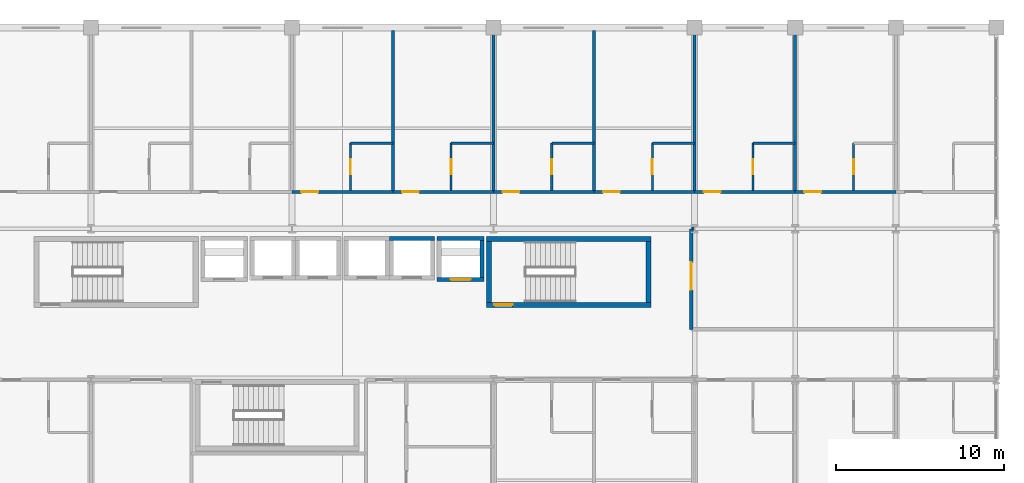
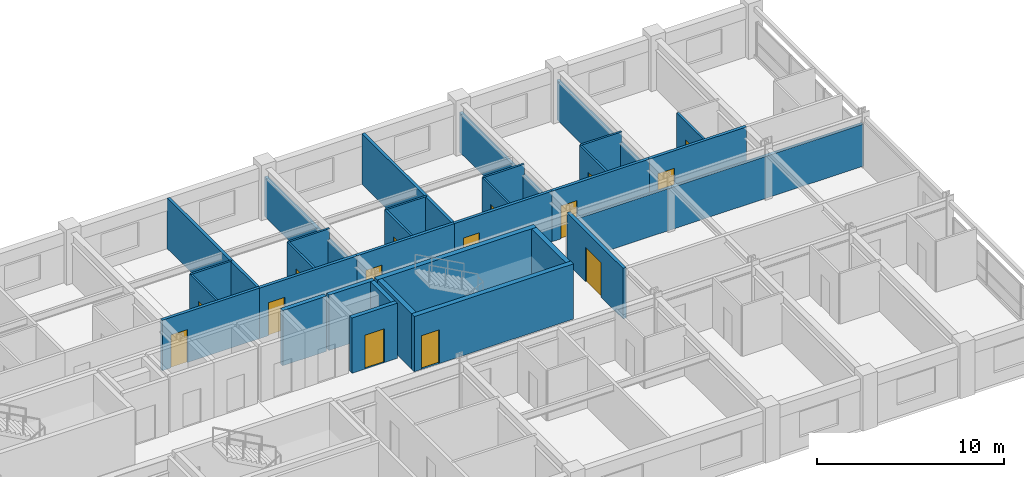
# One storey, part 19 of 22: 32 walls, 15 doors, 15 openings.
"""IFC4 building model written with IfcOpenShell, lengths in metres."""

from ifc_helpers import new_model, si_unit, direction, frame, frame_2d, origin, place, context, subcontext, project, spatial, rectangle, extrude, material, layer, layer_set, type_object, element, fill, save


model = new_model("IFC4")

# Units and contexts
model_context = context("Model", 3, precision=1e-05, world=origin(), true_north=direction((0.0, 1.0)))
body_context = subcontext(model_context, "Body", "Model", "MODEL_VIEW")
ifc_project = project(units=[si_unit("LENGTHUNIT", "METRE"), si_unit("AREAUNIT", "SQUARE_METRE"), si_unit("VOLUMEUNIT", "CUBIC_METRE"), si_unit("PLANEANGLEUNIT", "RADIAN"), si_unit("MASSUNIT", "GRAM", prefix="KILO")], contexts=[model_context])

# Site, building, storey
site_placement = place(None, origin())
site = spatial("IfcSite", under=ifc_project, at=site_placement, CompositionType="ELEMENT")
building_placement = place(site_placement, origin())
building = spatial("IfcBuilding", under=site, at=building_placement, Name="Kaldorvane Square Convention Centre", CompositionType="ELEMENT")
storey_placement = place(building_placement, frame((0.0, 0.0, 34.80000305175781)))
storey = spatial("IfcBuildingStorey", under=building, at=storey_placement, Name="L07", CompositionType="ELEMENT", Elevation=34.80000305175781)

# Wall, opening, door
ifc_material_1 = material(Name="Fire-Rated Gypsum Board on Acoustic Steel Studs", Category="steel")
ifc_layer_1 = layer(ifc_material_1, 0.125)
ifc_layer_set_1 = layer_set([ifc_layer_1], Name="Fire-Rated Gypsum Board on Acoustic Steel Studs")
wall_type_1 = type_object("IfcWallType", Name="WL-BATH-125", PredefinedType="PARTITIONING", material=ifc_layer_set_1)
wall_1_placement = place(storey_placement, frame((57.47999572753906, 107.28999328613281, 0.0), z_axis=(0.0, 0.0, 1.0), x_axis=(0.0, 1.0, 0.0)))
wall_1 = element("IfcWall", 1, at=wall_1_placement, inside=storey, type_object=wall_type_1, Name="En-Suite 706 West Wall", PredefinedType="PARTITIONING", context=body_context, shape_type="SweptSolid", body=[
    extrude(rectangle(XDim=2.8100128173828125, YDim=0.125, at=frame_2d((1.404998779296875, 0.0))), origin(), (0.0, 0.0, 1.0), 3.2899932861328125),
])
opening_1_placement = place(wall_1_placement, frame((0.9499969482421875, 0.0, 0.0)))
opening_1 = element("IfcOpeningElement", 2, at=opening_1_placement, cuts=wall_1, Name="Opening ID-12", PredefinedType="OPENING", context=body_context, shape_type="SweptSolid", body=[
    extrude(rectangle(XDim=0.9199981689453125, YDim=2.100006103515625, at=frame_2d((0.459991455078125, 1.0500030517578125))), frame((0.0, 0.0774993896484375, 0.0), z_axis=(0.0, -1.0, 0.0), x_axis=(1.0, 0.0, 0.0)), (0.0, 0.0, 1.0), 0.154998779296875),
])
ifc_material_2 = material(Name="Architectural Solid-Core White Oak")
door_type_1 = type_object("IfcDoorType", Name="DR-BATH-0920X2100", OperationType="SINGLE_SWING_RIGHT", PredefinedType="DOOR", material=ifc_material_2)
door_1_placement = place(opening_1_placement, origin())
door_1 = element("IfcDoor", 3, at=door_1_placement, inside=storey, type_object=door_type_1, Name="En-Suite Bathroom 706 Door", OperationType="SINGLE_SWING_RIGHT", OverallHeight=2.100006103515625, OverallWidth=0.9199981689453125, PredefinedType="DOOR", context=body_context, shape_type="SweptSolid", body=[
    extrude(rectangle(XDim=0.9199981689453125, YDim=2.100006103515625, at=frame_2d((0.459991455078125, 1.0500030517578125))), frame((0.0, 0.024993896484375, 0.0), z_axis=(0.0, -1.0, 0.0), x_axis=(1.0, 0.0, 0.0)), (0.0, 0.0, 1.0), 0.0500030517578125),
])
fill(opening_1, door_1)

# Wall
wall_2_placement = place(storey_placement, frame((57.47999572753906, 110.10000610351562, 0.0), z_axis=(0.0, 0.0, 1.0), x_axis=(1.0, 0.0, 0.0)))
element("IfcWall", 4, at=wall_2_placement, inside=storey, type_object=wall_type_1, Name="En-Suite 706 North Wall", PredefinedType="PARTITIONING", context=body_context, shape_type="SweptSolid", body=[
    extrude(rectangle(XDim=2.5200042724609375, YDim=0.125, at=frame_2d((1.260009765625, 0.0))), origin(), (0.0, 0.0, 1.0), 3.2899932861328125),
])

# Wall, opening, door
wall_3_placement = place(storey_placement, frame((63.47999572753906, 107.28999328613281, 0.0), z_axis=(0.0, 0.0, 1.0), x_axis=(0.0, 1.0, 0.0)))
wall_3 = element("IfcWall", 5, at=wall_3_placement, inside=storey, type_object=wall_type_1, Name="En-Suite 707 West Wall", PredefinedType="PARTITIONING", context=body_context, shape_type="SweptSolid", body=[
    extrude(rectangle(XDim=2.8100128173828125, YDim=0.125, at=frame_2d((1.404998779296875, 0.0))), origin(), (0.0, 0.0, 1.0), 3.2899932861328125),
])
opening_2_placement = place(wall_3_placement, frame((0.9499969482421875, 0.0, 0.0)))
opening_2 = element("IfcOpeningElement", 6, at=opening_2_placement, cuts=wall_3, Name="Opening ID-12", PredefinedType="OPENING", context=body_context, shape_type="SweptSolid", body=[
    extrude(rectangle(XDim=0.9199981689453125, YDim=2.100006103515625, at=frame_2d((0.459991455078125, 1.0500030517578125))), frame((0.0, 0.0774993896484375, 0.0), z_axis=(0.0, -1.0, 0.0), x_axis=(1.0, 0.0, 0.0)), (0.0, 0.0, 1.0), 0.154998779296875),
])
door_2_placement = place(opening_2_placement, origin())
door_2 = element("IfcDoor", 7, at=door_2_placement, inside=storey, type_object=door_type_1, Name="En-Suite Bathroom 707 Door", OperationType="SINGLE_SWING_RIGHT", OverallHeight=2.100006103515625, OverallWidth=0.9199981689453125, PredefinedType="DOOR", context=body_context, shape_type="SweptSolid", body=[
    extrude(rectangle(XDim=0.9199981689453125, YDim=2.100006103515625, at=frame_2d((0.459991455078125, 1.0500030517578125))), frame((0.0, 0.024993896484375, 0.0), z_axis=(0.0, -1.0, 0.0), x_axis=(1.0, 0.0, 0.0)), (0.0, 0.0, 1.0), 0.0500030517578125),
])
fill(opening_2, door_2)

# Wall
wall_4_placement = place(storey_placement, frame((63.47999572753906, 110.10000610351562, 0.0), z_axis=(0.0, 0.0, 1.0), x_axis=(1.0, 0.0, 0.0)))
element("IfcWall", 8, at=wall_4_placement, inside=storey, type_object=wall_type_1, Name="En-Suite 707 North Wall", PredefinedType="PARTITIONING", context=body_context, shape_type="SweptSolid", body=[
    extrude(rectangle(XDim=2.5200042724609375, YDim=0.125, at=frame_2d((1.260009765625, 0.0))), origin(), (0.0, 0.0, 1.0), 3.2899932861328125),
])

# Wall, opening, door
wall_5_placement = place(storey_placement, frame((69.47999572753906, 107.28999328613281, 0.0), z_axis=(0.0, 0.0, 1.0), x_axis=(0.0, 1.0, 0.0)))
wall_5 = element("IfcWall", 9, at=wall_5_placement, inside=storey, type_object=wall_type_1, Name="En-Suite 708 West Wall", PredefinedType="PARTITIONING", context=body_context, shape_type="SweptSolid", body=[
    extrude(rectangle(XDim=2.8100128173828125, YDim=0.125, at=frame_2d((1.404998779296875, 0.0))), origin(), (0.0, 0.0, 1.0), 3.2899932861328125),
])
opening_3_placement = place(wall_5_placement, frame((0.9499969482421875, 0.0, 0.0)))
opening_3 = element("IfcOpeningElement", 10, at=opening_3_placement, cuts=wall_5, Name="Opening ID-12", PredefinedType="OPENING", context=body_context, shape_type="SweptSolid", body=[
    extrude(rectangle(XDim=0.9199981689453125, YDim=2.100006103515625, at=frame_2d((0.459991455078125, 1.0500030517578125))), frame((0.0, 0.0774993896484375, 0.0), z_axis=(0.0, -1.0, 0.0), x_axis=(1.0, 0.0, 0.0)), (0.0, 0.0, 1.0), 0.154998779296875),
])
door_3_placement = place(opening_3_placement, origin())
door_3 = element("IfcDoor", 11, at=door_3_placement, inside=storey, type_object=door_type_1, Name="En-Suite Bathroom 708 Door", OperationType="SINGLE_SWING_RIGHT", OverallHeight=2.100006103515625, OverallWidth=0.9199981689453125, PredefinedType="DOOR", context=body_context, shape_type="SweptSolid", body=[
    extrude(rectangle(XDim=0.9199981689453125, YDim=2.100006103515625, at=frame_2d((0.459991455078125, 1.0500030517578125))), frame((0.0, 0.024993896484375, 0.0), z_axis=(0.0, -1.0, 0.0), x_axis=(1.0, 0.0, 0.0)), (0.0, 0.0, 1.0), 0.0500030517578125),
])
fill(opening_3, door_3)

# Wall
wall_6_placement = place(storey_placement, frame((69.47999572753906, 110.10000610351562, 0.0), z_axis=(0.0, 0.0, 1.0), x_axis=(1.0, 0.0, 0.0)))
element("IfcWall", 12, at=wall_6_placement, inside=storey, type_object=wall_type_1, Name="En-Suite 708 North Wall", PredefinedType="PARTITIONING", context=body_context, shape_type="SweptSolid", body=[
    extrude(rectangle(XDim=2.5200042724609375, YDim=0.125, at=frame_2d((1.260009765625, 0.0))), origin(), (0.0, 0.0, 1.0), 3.2899932861328125),
])

# Wall, opening, door
wall_7_placement = place(storey_placement, frame((75.47999572753906, 107.28999328613281, 0.0), z_axis=(0.0, 0.0, 1.0), x_axis=(0.0, 1.0, 0.0)))
wall_7 = element("IfcWall", 13, at=wall_7_placement, inside=storey, type_object=wall_type_1, Name="En-Suite 709 West Wall", PredefinedType="PARTITIONING", context=body_context, shape_type="SweptSolid", body=[
    extrude(rectangle(XDim=2.8100128173828125, YDim=0.125, at=frame_2d((1.404998779296875, 0.0))), origin(), (0.0, 0.0, 1.0), 3.2899932861328125),
])
opening_4_placement = place(wall_7_placement, frame((0.9499969482421875, 0.0, 0.0)))
opening_4 = element("IfcOpeningElement", 14, at=opening_4_placement, cuts=wall_7, Name="Opening ID-12", PredefinedType="OPENING", context=body_context, shape_type="SweptSolid", body=[
    extrude(rectangle(XDim=0.9199981689453125, YDim=2.100006103515625, at=frame_2d((0.459991455078125, 1.0500030517578125))), frame((0.0, 0.0774993896484375, 0.0), z_axis=(0.0, -1.0, 0.0), x_axis=(1.0, 0.0, 0.0)), (0.0, 0.0, 1.0), 0.154998779296875),
])
door_4_placement = place(opening_4_placement, origin())
door_4 = element("IfcDoor", 15, at=door_4_placement, inside=storey, type_object=door_type_1, Name="En-Suite Bathroom 709 Door", OperationType="SINGLE_SWING_RIGHT", OverallHeight=2.100006103515625, OverallWidth=0.9199981689453125, PredefinedType="DOOR", context=body_context, shape_type="SweptSolid", body=[
    extrude(rectangle(XDim=0.9199981689453125, YDim=2.100006103515625, at=frame_2d((0.459991455078125, 1.0500030517578125))), frame((0.0, 0.024993896484375, 0.0), z_axis=(0.0, -1.0, 0.0), x_axis=(1.0, 0.0, 0.0)), (0.0, 0.0, 1.0), 0.0500030517578125),
])
fill(opening_4, door_4)

# Wall
wall_8_placement = place(storey_placement, frame((75.47999572753906, 110.10000610351562, 0.0), z_axis=(0.0, 0.0, 1.0), x_axis=(1.0, 0.0, 0.0)))
element("IfcWall", 16, at=wall_8_placement, inside=storey, type_object=wall_type_1, Name="En-Suite 709 North Wall", PredefinedType="PARTITIONING", context=body_context, shape_type="SweptSolid", body=[
    extrude(rectangle(XDim=2.5200042724609375, YDim=0.125, at=frame_2d((1.260009765625, 0.0))), origin(), (0.0, 0.0, 1.0), 3.2899932861328125),
])

# Wall, opening, door
wall_9_placement = place(storey_placement, frame((81.47999572753906, 107.28999328613281, 0.0), z_axis=(0.0, 0.0, 1.0), x_axis=(0.0, 1.0, 0.0)))
wall_9 = element("IfcWall", 17, at=wall_9_placement, inside=storey, type_object=wall_type_1, Name="En-Suite 710 West Wall", PredefinedType="PARTITIONING", context=body_context, shape_type="SweptSolid", body=[
    extrude(rectangle(XDim=2.8100128173828125, YDim=0.125, at=frame_2d((1.404998779296875, 0.0))), origin(), (0.0, 0.0, 1.0), 3.2899932861328125),
])
opening_5_placement = place(wall_9_placement, frame((0.9499969482421875, 0.0, 0.0)))
opening_5 = element("IfcOpeningElement", 18, at=opening_5_placement, cuts=wall_9, Name="Opening ID-12", PredefinedType="OPENING", context=body_context, shape_type="SweptSolid", body=[
    extrude(rectangle(XDim=0.9199981689453125, YDim=2.100006103515625, at=frame_2d((0.459991455078125, 1.0500030517578125))), frame((0.0, 0.0774993896484375, 0.0), z_axis=(0.0, -1.0, 0.0), x_axis=(1.0, 0.0, 0.0)), (0.0, 0.0, 1.0), 0.154998779296875),
])
door_5_placement = place(opening_5_placement, origin())
door_5 = element("IfcDoor", 19, at=door_5_placement, inside=storey, type_object=door_type_1, Name="En-Suite Bathroom 710 Door", OperationType="SINGLE_SWING_RIGHT", OverallHeight=2.100006103515625, OverallWidth=0.9199981689453125, PredefinedType="DOOR", context=body_context, shape_type="SweptSolid", body=[
    extrude(rectangle(XDim=0.9199981689453125, YDim=2.100006103515625, at=frame_2d((0.459991455078125, 1.0500030517578125))), frame((0.0, 0.024993896484375, 0.0), z_axis=(0.0, -1.0, 0.0), x_axis=(1.0, 0.0, 0.0)), (0.0, 0.0, 1.0), 0.0500030517578125),
])
fill(opening_5, door_5)

# Wall
wall_10_placement = place(storey_placement, frame((81.47999572753906, 110.10000610351562, 0.0), z_axis=(0.0, 0.0, 1.0), x_axis=(1.0, 0.0, 0.0)))
element("IfcWall", 20, at=wall_10_placement, inside=storey, type_object=wall_type_1, Name="En-Suite 710 North Wall", PredefinedType="PARTITIONING", context=body_context, shape_type="SweptSolid", body=[
    extrude(rectangle(XDim=2.5200042724609375, YDim=0.125, at=frame_2d((1.260009765625, 0.0))), origin(), (0.0, 0.0, 1.0), 3.2899932861328125),
])

# Wall, opening, door
wall_11_placement = place(storey_placement, frame((87.47999572753906, 107.28999328613281, 0.0), z_axis=(0.0, 0.0, 1.0), x_axis=(0.0, 1.0, 0.0)))
wall_11 = element("IfcWall", 21, at=wall_11_placement, inside=storey, type_object=wall_type_1, Name="En-Suite 711 West Wall", PredefinedType="PARTITIONING", context=body_context, shape_type="SweptSolid", body=[
    extrude(rectangle(XDim=2.8100128173828125, YDim=0.125, at=frame_2d((1.404998779296875, 0.0))), origin(), (0.0, 0.0, 1.0), 3.2899932861328125),
])
opening_6_placement = place(wall_11_placement, frame((0.9499969482421875, 0.0, 0.0)))
opening_6 = element("IfcOpeningElement", 22, at=opening_6_placement, cuts=wall_11, Name="Opening ID-12", PredefinedType="OPENING", context=body_context, shape_type="SweptSolid", body=[
    extrude(rectangle(XDim=0.9199981689453125, YDim=2.100006103515625, at=frame_2d((0.459991455078125, 1.0500030517578125))), frame((0.0, 0.0774993896484375, 0.0), z_axis=(0.0, -1.0, 0.0), x_axis=(1.0, 0.0, 0.0)), (0.0, 0.0, 1.0), 0.154998779296875),
])
door_6_placement = place(opening_6_placement, origin())
door_6 = element("IfcDoor", 23, at=door_6_placement, inside=storey, type_object=door_type_1, Name="En-Suite Bathroom 711 Door", OperationType="SINGLE_SWING_RIGHT", OverallHeight=2.100006103515625, OverallWidth=0.9199981689453125, PredefinedType="DOOR", context=body_context, shape_type="SweptSolid", body=[
    extrude(rectangle(XDim=0.9199981689453125, YDim=2.100006103515625, at=frame_2d((0.459991455078125, 1.0500030517578125))), frame((0.0, 0.024993896484375, 0.0), z_axis=(0.0, -1.0, 0.0), x_axis=(1.0, 0.0, 0.0)), (0.0, 0.0, 1.0), 0.0500030517578125),
])
fill(opening_6, door_6)

# Wall
ifc_layer_2 = layer(ifc_material_1, 0.1999969482421875)
ifc_layer_set_2 = layer_set([ifc_layer_2], Name="Fire-Rated Gypsum Board on Acoustic Steel Studs")
wall_type_2 = type_object("IfcWallType", Name="WL-CORR-200", PredefinedType="PARTITIONING", material=ifc_layer_set_2)
wall_12_placement = place(storey_placement, frame((95.91499328613281, 105.0, 0.0), z_axis=(0.0, 0.0, 1.0), x_axis=(-1.0, 0.0, 0.0)))
element("IfcWall", 24, at=wall_12_placement, inside=storey, type_object=wall_type_2, Name="East Square View Lounge (L07) N Wall", PredefinedType="PARTITIONING", context=body_context, shape_type="SweptSolid", body=[
    extrude(rectangle(XDim=18.114990234375, YDim=0.1999969482421875, at=frame_2d((9.0574951171875, 0.0))), origin(), (0.0, 0.0, 1.0), 2.735992431640625),
])

# Wall, opening, door
wall_13_placement = place(storey_placement, frame((77.80000305175781, 105.0, 0.0), z_axis=(0.0, 0.0, 1.0), x_axis=(0.0, -1.0, 0.0)))
wall_13 = element("IfcWall", 25, at=wall_13_placement, inside=storey, type_object=wall_type_2, Name="East Square View Lounge (L07) W Wall", PredefinedType="PARTITIONING", context=body_context, shape_type="SweptSolid", body=[
    extrude(rectangle(XDim=6.0, YDim=0.1999969482421875, at=frame_2d((3.0, 0.0))), origin(), (0.0, 0.0, 1.0), 3.2899932861328125),
])
opening_7_placement = place(wall_13_placement, frame((2.0, 0.0, 0.0)))
opening_7 = element("IfcOpeningElement", 26, at=opening_7_placement, cuts=wall_13, Name="Opening ID-16", PredefinedType="OPENING", context=body_context, shape_type="SweptSolid", body=[
    extrude(rectangle(XDim=1.649993896484375, YDim=2.25, at=frame_2d((0.8249969482421875, 1.125))), frame((0.0, 0.114990234375, 0.0), z_axis=(0.0, -1.0, 0.0), x_axis=(1.0, 0.0, 0.0)), (0.0, 0.0, 1.0), 0.2299957275390625),
])
ifc_material_3 = material(Name="Acoustic Laminated Glass in Aluminum Frame", Category="aluminium")
door_type_2 = type_object("IfcDoorType", Name="DR-GL-1650X2250", OperationType="DOUBLE_DOOR_SINGLE_SWING", PredefinedType="DOOR", material=ifc_material_3)
door_7_placement = place(opening_7_placement, origin())
door_7 = element("IfcDoor", 27, at=door_7_placement, inside=storey, type_object=door_type_2, Name="East Square View Lounge (L07) Door 1", OperationType="DOUBLE_DOOR_SINGLE_SWING", OverallHeight=2.25, OverallWidth=1.649993896484375, PredefinedType="DOOR", context=body_context, shape_type="SweptSolid", body=[
    extrude(rectangle(XDim=1.649993896484375, YDim=2.25, at=frame_2d((0.8249969482421875, 1.125))), frame((0.0, 0.024993896484375, 0.0), z_axis=(0.0, -1.0, 0.0), x_axis=(1.0, 0.0, 0.0)), (0.0, 0.0, 1.0), 0.0500030517578125),
])
fill(opening_7, door_7)

ifc_material_4 = material(Name="Concrete f'c = 55 MPa (Normalweight)", Category="concrete")
ifc_layer_3 = layer(ifc_material_4, 0.3000030517578125)
ifc_layer_set_3 = layer_set([ifc_layer_3], Name="Concrete f'c = 55 MPa (Normalweight)")
wall_type_3 = type_object("IfcWallType", Name="WL-SHAFT-300", PredefinedType="SHEAR", material=ifc_layer_set_3)
wall_14_placement = place(storey_placement, frame((65.60000610351562, 100.46000671386719, 0.0), z_axis=(0.0, 0.0, 1.0), x_axis=(1.0, 0.0, 0.0)))
wall_14 = element("IfcWall", 28, at=wall_14_placement, inside=storey, type_object=wall_type_3, Name="Core Enclosure Wall stair:ST-T2-S (L07)", PredefinedType="SHEAR", context=body_context, shape_type="SweptSolid", body=[
    extrude(rectangle(XDim=9.79998779296875, YDim=0.3000030517578125, at=frame_2d((4.899993896484375, 0.0))), origin(), (0.0, 0.0, 1.0), 3.5999908447265625),
])
opening_8_placement = place(wall_14_placement, frame((0.4499969482421875, 0.0, 0.0)))
opening_8 = element("IfcOpeningElement", 29, at=opening_8_placement, cuts=wall_14, Name="Opening FD90-S1", PredefinedType="OPENING", context=body_context, shape_type="SweptSolid", body=[
    extrude(rectangle(XDim=1.100006103515625, YDim=2.1999969482421875, at=frame_2d((0.5500030517578125, 1.100006103515625))), frame((0.0, 0.165008544921875, 0.0), z_axis=(0.0, -1.0, 0.0), x_axis=(1.0, 0.0, 0.0)), (0.0, 0.0, 1.0), 0.3300018310546875),
])
ifc_material_5 = material(Name="Fire-Rated Hollow Metal Steel", Category="steel")
door_type_3 = type_object("IfcDoorType", Name="DR-STAIR-1100", OperationType="SINGLE_SWING_RIGHT", PredefinedType="DOOR", material=ifc_material_5)
door_8_placement = place(opening_8_placement, origin())
door_8 = element("IfcDoor", 30, at=door_8_placement, inside=storey, type_object=door_type_3, Name="Tower Exit Stair T2 Fire Door (L07)", OperationType="SINGLE_SWING_RIGHT", OverallHeight=2.1999969482421875, OverallWidth=1.100006103515625, PredefinedType="DOOR", context=body_context, shape_type="SweptSolid", body=[
    extrude(rectangle(XDim=1.100006103515625, YDim=2.1999969482421875, at=frame_2d((0.5500030517578125, 1.100006103515625))), frame((0.0, 0.024993896484375, 0.0), z_axis=(0.0, -1.0, 0.0), x_axis=(1.0, 0.0, 0.0)), (0.0, 0.0, 1.0), 0.0500030517578125),
])
fill(opening_8, door_8)

# Walls
wall_15_placement = place(storey_placement, frame((75.39999389648438, 104.39999389648438, 0.0), z_axis=(0.0, 0.0, 1.0), x_axis=(-1.0, 0.0, 0.0)))
element("IfcWall", 31, at=wall_15_placement, inside=storey, type_object=wall_type_3, Name="Core Enclosure Wall stair:ST-T2-N (L07)", PredefinedType="SHEAR", context=body_context, shape_type="SweptSolid", body=[
    extrude(rectangle(XDim=9.79998779296875, YDim=0.3000030517578125, at=frame_2d((4.899993896484375, 0.0))), origin(), (0.0, 0.0, 1.0), 3.5999908447265625),
])
for number, where, z_axis, x_axis, name in (
    (32, (65.75, 104.25, 0.0), (0.0, 0.0, 1.0), (0.0, -1.0, 0.0), "Core Enclosure Wall stair:ST-T2-W (L07)"),
    (33, (75.25, 100.61000061035156, 0.0), (0.0, 0.0, 1.0), (0.0, 1.0, 0.0), "Core Enclosure Wall stair:ST-T2-E (L07)"),
):
    element("IfcWall", number, at=place(storey_placement, frame(where, z_axis=z_axis, x_axis=x_axis)), inside=storey, type_object=wall_type_3, Name=name, PredefinedType="SHEAR", context=body_context, shape_type="SweptSolid", body=[
        extrude(rectangle(XDim=3.6399993896484375, YDim=0.3000030517578125, at=frame_2d((1.82000732421875, 0.0))), origin(), (0.0, 0.0, 1.0), 3.5999908447265625),
    ])

# Wall, opening, door
wall_16_placement = place(storey_placement, frame((62.649993896484375, 101.97500610351562, 0.0), z_axis=(0.0, 0.0, 1.0), x_axis=(1.0, 0.0, 0.0)))
wall_16 = element("IfcWall", 34, at=wall_16_placement, inside=storey, type_object=wall_type_3, Name="Core Enclosure Wall lift:FSAE-02-S (L07)", PredefinedType="SHEAR", context=body_context, shape_type="SweptSolid", body=[
    extrude(rectangle(XDim=2.8000030517578125, YDim=0.25, at=frame_2d((1.399993896484375, 0.0))), origin(), (0.0, 0.0, 1.0), 3.5999908447265625),
])
opening_9_placement = place(wall_16_placement, frame((0.8000030517578125, 0.0, 0.0)))
opening_9 = element("IfcOpeningElement", 35, at=opening_9_placement, cuts=wall_16, Name="Opening LD-02", PredefinedType="OPENING", context=body_context, shape_type="SweptSolid", body=[
    extrude(rectangle(XDim=1.1999969482421875, YDim=2.1999969482421875, at=frame_2d((0.600006103515625, 1.100006103515625))), frame((0.0, 0.1399993896484375, 0.0), z_axis=(0.0, -1.0, 0.0), x_axis=(1.0, 0.0, 0.0)), (0.0, 0.0, 1.0), 0.279998779296875),
])
ifc_material_6 = material(Name="Stainless Steel Elevator Door Assembly", Category="steel")
door_type_4 = type_object("IfcDoorType", Name="DR-LIFT-1200", OperationType="DOUBLE_DOOR_SLIDING", PredefinedType="DOOR", material=ifc_material_6)
door_9_placement = place(opening_9_placement, origin())
door_9 = element("IfcDoor", 36, at=door_9_placement, inside=storey, type_object=door_type_4, Name="Elevator Landing Door FSAE-02 (L07)", OperationType="DOUBLE_DOOR_SLIDING", OverallHeight=2.1999969482421875, OverallWidth=1.1999969482421875, PredefinedType="DOOR", context=body_context, shape_type="SweptSolid", body=[
    extrude(rectangle(XDim=1.1999969482421875, YDim=2.1999969482421875, at=frame_2d((0.600006103515625, 1.100006103515625))), frame((0.0, 0.024993896484375, 0.0), z_axis=(0.0, -1.0, 0.0), x_axis=(1.0, 0.0, 0.0)), (0.0, 0.0, 1.0), 0.0500030517578125),
])
fill(opening_9, door_9)

# Walls
wall_17_placement = place(storey_placement, frame((65.44999694824219, 104.42500305175781, 0.0), z_axis=(0.0, 0.0, 1.0), x_axis=(-1.0, 0.0, 0.0)))
element("IfcWall", 37, at=wall_17_placement, inside=storey, type_object=wall_type_3, Name="Core Enclosure Wall lift:FSAE-02-N (L07)", PredefinedType="SHEAR", context=body_context, shape_type="SweptSolid", body=[
    extrude(rectangle(XDim=2.8000030517578125, YDim=0.25, at=frame_2d((1.399993896484375, 0.0))), origin(), (0.0, 0.0, 1.0), 3.5999908447265625),
])
wall_18_placement = place(storey_placement, frame((65.32499694824219, 102.10000610351562, 0.0), z_axis=(0.0, 0.0, 1.0), x_axis=(0.0, 1.0, 0.0)))
element("IfcWall", 38, at=wall_18_placement, inside=storey, type_object=wall_type_3, Name="Core Enclosure Wall lift:FSAE-02-E (L07)", PredefinedType="SHEAR", context=body_context, shape_type="SweptSolid", body=[
    extrude(rectangle(XDim=2.1999969482421875, YDim=0.25, at=frame_2d((1.100006103515625, 0.0))), origin(), (0.0, 0.0, 1.0), 3.5999908447265625),
])
wall_19_placement = place(storey_placement, frame((62.5, 104.42500305175781, 0.0), z_axis=(0.0, 0.0, 1.0), x_axis=(-1.0, 0.0, 0.0)))
element("IfcWall", 39, at=wall_19_placement, inside=storey, type_object=wall_type_3, Name="Core Enclosure Wall lift:EL-P4-N (L07)", PredefinedType="SHEAR", context=body_context, shape_type="SweptSolid", body=[
    extrude(rectangle(XDim=2.6999969482421875, YDim=0.25, at=frame_2d((1.350006103515625, 0.0))), origin(), (0.0, 0.0, 1.0), 3.5999908447265625),
])

# Wall, opening, door
ifc_layer_4 = layer(ifc_material_1, 0.17999267578125)
ifc_layer_set_4 = layer_set([ifc_layer_4], Name="Fire-Rated Gypsum Board on Acoustic Steel Studs")
wall_type_4 = type_object("IfcWallType", Name="WL-UNIT-180", PredefinedType="PARTITIONING", material=ifc_layer_set_4)
wall_20_placement = place(storey_placement, frame((54.0, 107.19999694824219, 0.0), z_axis=(0.0, 0.0, 1.0), x_axis=(1.0, 0.0, 0.0)))
wall_20 = element("IfcWall", 40, at=wall_20_placement, inside=storey, type_object=wall_type_4, Name="Hotel Guest Room 706 Corridor Wall", PredefinedType="PARTITIONING", context=body_context, shape_type="SweptSolid", body=[
    extrude(rectangle(XDim=6.0, YDim=0.17999267578125, at=frame_2d((3.0, 0.0))), origin(), (0.0, 0.0, 1.0), 3.2899932861328125),
])
opening_10_placement = place(wall_20_placement, frame((0.5500030517578125, 0.0, 0.0)))
opening_10 = element("IfcOpeningElement", 41, at=opening_10_placement, cuts=wall_20, Name="Opening ID-10", PredefinedType="OPENING", context=body_context, shape_type="SweptSolid", body=[
    extrude(rectangle(XDim=1.0, YDim=2.149993896484375, at=frame_2d((0.5, 1.0749969482421875))), frame((0.0, 0.1049957275390625, 0.0), z_axis=(0.0, -1.0, 0.0), x_axis=(1.0, 0.0, 0.0)), (0.0, 0.0, 1.0), 0.209991455078125),
])
door_type_5 = type_object("IfcDoorType", Name="DR-GUEST-1000X2150", OperationType="SINGLE_SWING_LEFT", PredefinedType="DOOR", material=ifc_material_2)
door_10_placement = place(opening_10_placement, origin())
door_10 = element("IfcDoor", 42, at=door_10_placement, inside=storey, type_object=door_type_5, Name="Hotel Guest Room 706 Entry Door", OperationType="SINGLE_SWING_LEFT", OverallHeight=2.149993896484375, OverallWidth=1.0, PredefinedType="DOOR", context=body_context, shape_type="SweptSolid", body=[
    extrude(rectangle(XDim=1.0, YDim=2.149993896484375, at=frame_2d((0.5, 1.0749969482421875))), frame((0.0, 0.024993896484375, 0.0), z_axis=(0.0, -1.0, 0.0), x_axis=(1.0, 0.0, 0.0)), (0.0, 0.0, 1.0), 0.0500030517578125),
])
fill(opening_10, door_10)

# Wall
wall_21_placement = place(storey_placement, frame((60.0, 107.19999694824219, 0.0), z_axis=(0.0, 0.0, 1.0), x_axis=(0.0, 1.0, 0.0)))
element("IfcWall", 43, at=wall_21_placement, inside=storey, type_object=wall_type_4, Name="Guestroom Demising Wall 706", PredefinedType="PARTITIONING", context=body_context, shape_type="SweptSolid", body=[
    extrude(rectangle(XDim=9.625, YDim=0.17999267578125, at=frame_2d((4.8125, 0.0))), origin(), (0.0, 0.0, 1.0), 3.2899932861328125),
])

# Wall, opening, door
wall_22_placement = place(storey_placement, frame((60.0, 107.19999694824219, 0.0), z_axis=(0.0, 0.0, 1.0), x_axis=(1.0, 0.0, 0.0)))
wall_22 = element("IfcWall", 44, at=wall_22_placement, inside=storey, type_object=wall_type_4, Name="Hotel Guest Room 707 Corridor Wall", PredefinedType="PARTITIONING", context=body_context, shape_type="SweptSolid", body=[
    extrude(rectangle(XDim=6.0, YDim=0.17999267578125, at=frame_2d((3.0, 0.0))), origin(), (0.0, 0.0, 1.0), 3.2899932861328125),
])
opening_11_placement = place(wall_22_placement, frame((0.5500030517578125, 0.0, 0.0)))
opening_11 = element("IfcOpeningElement", 45, at=opening_11_placement, cuts=wall_22, Name="Opening ID-10", PredefinedType="OPENING", context=body_context, shape_type="SweptSolid", body=[
    extrude(rectangle(XDim=1.0, YDim=2.149993896484375, at=frame_2d((0.5, 1.0749969482421875))), frame((0.0, 0.1049957275390625, 0.0), z_axis=(0.0, -1.0, 0.0), x_axis=(1.0, 0.0, 0.0)), (0.0, 0.0, 1.0), 0.209991455078125),
])
door_11_placement = place(opening_11_placement, origin())
door_11 = element("IfcDoor", 46, at=door_11_placement, inside=storey, type_object=door_type_5, Name="Hotel Guest Room 707 Entry Door", OperationType="SINGLE_SWING_LEFT", OverallHeight=2.149993896484375, OverallWidth=1.0, PredefinedType="DOOR", context=body_context, shape_type="SweptSolid", body=[
    extrude(rectangle(XDim=1.0, YDim=2.149993896484375, at=frame_2d((0.5, 1.0749969482421875))), frame((0.0, 0.024993896484375, 0.0), z_axis=(0.0, -1.0, 0.0), x_axis=(1.0, 0.0, 0.0)), (0.0, 0.0, 1.0), 0.0500030517578125),
])
fill(opening_11, door_11)

# Wall
wall_23_placement = place(storey_placement, frame((66.0, 107.19999694824219, 0.0), z_axis=(0.0, 0.0, 1.0), x_axis=(0.0, 1.0, 0.0)))
element("IfcWall", 47, at=wall_23_placement, inside=storey, type_object=wall_type_4, Name="Guestroom Demising Wall 707", PredefinedType="PARTITIONING", context=body_context, shape_type="SweptSolid", body=[
    extrude(rectangle(XDim=9.625, YDim=0.17999267578125, at=frame_2d((4.8125, 0.0))), origin(), (0.0, 0.0, 1.0), 2.589996337890625),
])

# Wall, opening, door
wall_24_placement = place(storey_placement, frame((66.0, 107.19999694824219, 0.0), z_axis=(0.0, 0.0, 1.0), x_axis=(1.0, 0.0, 0.0)))
wall_24 = element("IfcWall", 48, at=wall_24_placement, inside=storey, type_object=wall_type_4, Name="Hotel Guest Room 708 Corridor Wall", PredefinedType="PARTITIONING", context=body_context, shape_type="SweptSolid", body=[
    extrude(rectangle(XDim=6.0, YDim=0.17999267578125, at=frame_2d((3.0, 0.0))), origin(), (0.0, 0.0, 1.0), 3.2899932861328125),
])
opening_12_placement = place(wall_24_placement, frame((0.5500030517578125, 0.0, 0.0)))
opening_12 = element("IfcOpeningElement", 49, at=opening_12_placement, cuts=wall_24, Name="Opening ID-10", PredefinedType="OPENING", context=body_context, shape_type="SweptSolid", body=[
    extrude(rectangle(XDim=1.0, YDim=2.149993896484375, at=frame_2d((0.5, 1.0749969482421875))), frame((0.0, 0.1049957275390625, 0.0), z_axis=(0.0, -1.0, 0.0), x_axis=(1.0, 0.0, 0.0)), (0.0, 0.0, 1.0), 0.209991455078125),
])
door_12_placement = place(opening_12_placement, origin())
door_12 = element("IfcDoor", 50, at=door_12_placement, inside=storey, type_object=door_type_5, Name="Hotel Guest Room 708 Entry Door", OperationType="SINGLE_SWING_LEFT", OverallHeight=2.149993896484375, OverallWidth=1.0, PredefinedType="DOOR", context=body_context, shape_type="SweptSolid", body=[
    extrude(rectangle(XDim=1.0, YDim=2.149993896484375, at=frame_2d((0.5, 1.0749969482421875))), frame((0.0, 0.024993896484375, 0.0), z_axis=(0.0, -1.0, 0.0), x_axis=(1.0, 0.0, 0.0)), (0.0, 0.0, 1.0), 0.0500030517578125),
])
fill(opening_12, door_12)

# Wall
wall_25_placement = place(storey_placement, frame((72.0, 107.19999694824219, 0.0), z_axis=(0.0, 0.0, 1.0), x_axis=(0.0, 1.0, 0.0)))
element("IfcWall", 51, at=wall_25_placement, inside=storey, type_object=wall_type_4, Name="Guestroom Demising Wall 708", PredefinedType="PARTITIONING", context=body_context, shape_type="SweptSolid", body=[
    extrude(rectangle(XDim=9.625, YDim=0.17999267578125, at=frame_2d((4.8125, 0.0))), origin(), (0.0, 0.0, 1.0), 3.2899932861328125),
])

# Wall, opening, door
wall_26_placement = place(storey_placement, frame((72.0, 107.19999694824219, 0.0), z_axis=(0.0, 0.0, 1.0), x_axis=(1.0, 0.0, 0.0)))
wall_26 = element("IfcWall", 52, at=wall_26_placement, inside=storey, type_object=wall_type_4, Name="Hotel Guest Room 709 Corridor Wall", PredefinedType="PARTITIONING", context=body_context, shape_type="SweptSolid", body=[
    extrude(rectangle(XDim=6.0, YDim=0.17999267578125, at=frame_2d((3.0, 0.0))), origin(), (0.0, 0.0, 1.0), 3.2899932861328125),
])
opening_13_placement = place(wall_26_placement, frame((0.5500030517578125, 0.0, 0.0)))
opening_13 = element("IfcOpeningElement", 53, at=opening_13_placement, cuts=wall_26, Name="Opening ID-10", PredefinedType="OPENING", context=body_context, shape_type="SweptSolid", body=[
    extrude(rectangle(XDim=1.0, YDim=2.149993896484375, at=frame_2d((0.5, 1.0749969482421875))), frame((0.0, 0.1049957275390625, 0.0), z_axis=(0.0, -1.0, 0.0), x_axis=(1.0, 0.0, 0.0)), (0.0, 0.0, 1.0), 0.209991455078125),
])
door_13_placement = place(opening_13_placement, origin())
door_13 = element("IfcDoor", 54, at=door_13_placement, inside=storey, type_object=door_type_5, Name="Hotel Guest Room 709 Entry Door", OperationType="SINGLE_SWING_LEFT", OverallHeight=2.149993896484375, OverallWidth=1.0, PredefinedType="DOOR", context=body_context, shape_type="SweptSolid", body=[
    extrude(rectangle(XDim=1.0, YDim=2.149993896484375, at=frame_2d((0.5, 1.0749969482421875))), frame((0.0, 0.024993896484375, 0.0), z_axis=(0.0, -1.0, 0.0), x_axis=(1.0, 0.0, 0.0)), (0.0, 0.0, 1.0), 0.0500030517578125),
])
fill(opening_13, door_13)

# Wall
wall_27_placement = place(storey_placement, frame((78.0, 107.19999694824219, 0.0), z_axis=(0.0, 0.0, 1.0), x_axis=(0.0, 1.0, 0.0)))
element("IfcWall", 55, at=wall_27_placement, inside=storey, type_object=wall_type_4, Name="Guestroom Demising Wall 709", PredefinedType="PARTITIONING", context=body_context, shape_type="SweptSolid", body=[
    extrude(rectangle(XDim=9.625, YDim=0.17999267578125, at=frame_2d((4.8125, 0.0))), origin(), (0.0, 0.0, 1.0), 2.589996337890625),
])

# Wall, opening, door
wall_28_placement = place(storey_placement, frame((78.0, 107.19999694824219, 0.0), z_axis=(0.0, 0.0, 1.0), x_axis=(1.0, 0.0, 0.0)))
wall_28 = element("IfcWall", 56, at=wall_28_placement, inside=storey, type_object=wall_type_4, Name="Hotel Guest Room 710 Corridor Wall", PredefinedType="PARTITIONING", context=body_context, shape_type="SweptSolid", body=[
    extrude(rectangle(XDim=6.0, YDim=0.17999267578125, at=frame_2d((3.0, 0.0))), origin(), (0.0, 0.0, 1.0), 3.2899932861328125),
])
opening_14_placement = place(wall_28_placement, frame((0.5500030517578125, 0.0, 0.0)))
opening_14 = element("IfcOpeningElement", 57, at=opening_14_placement, cuts=wall_28, Name="Opening ID-10", PredefinedType="OPENING", context=body_context, shape_type="SweptSolid", body=[
    extrude(rectangle(XDim=1.0, YDim=2.149993896484375, at=frame_2d((0.5, 1.0749969482421875))), frame((0.0, 0.1049957275390625, 0.0), z_axis=(0.0, -1.0, 0.0), x_axis=(1.0, 0.0, 0.0)), (0.0, 0.0, 1.0), 0.209991455078125),
])
door_14_placement = place(opening_14_placement, origin())
door_14 = element("IfcDoor", 58, at=door_14_placement, inside=storey, type_object=door_type_5, Name="Hotel Guest Room 710 Entry Door", OperationType="SINGLE_SWING_LEFT", OverallHeight=2.149993896484375, OverallWidth=1.0, PredefinedType="DOOR", context=body_context, shape_type="SweptSolid", body=[
    extrude(rectangle(XDim=1.0, YDim=2.149993896484375, at=frame_2d((0.5, 1.0749969482421875))), frame((0.0, 0.024993896484375, 0.0), z_axis=(0.0, -1.0, 0.0), x_axis=(1.0, 0.0, 0.0)), (0.0, 0.0, 1.0), 0.0500030517578125),
])
fill(opening_14, door_14)

# Wall
wall_29_placement = place(storey_placement, frame((84.0, 107.19999694824219, 0.0), z_axis=(0.0, 0.0, 1.0), x_axis=(0.0, 1.0, 0.0)))
element("IfcWall", 59, at=wall_29_placement, inside=storey, type_object=wall_type_4, Name="Guestroom Demising Wall 710", PredefinedType="PARTITIONING", context=body_context, shape_type="SweptSolid", body=[
    extrude(rectangle(XDim=9.625, YDim=0.17999267578125, at=frame_2d((4.8125, 0.0))), origin(), (0.0, 0.0, 1.0), 2.589996337890625),
])

# Wall, opening, door
wall_30_placement = place(storey_placement, frame((84.0, 107.19999694824219, 0.0), z_axis=(0.0, 0.0, 1.0), x_axis=(1.0, 0.0, 0.0)))
wall_30 = element("IfcWall", 60, at=wall_30_placement, inside=storey, type_object=wall_type_4, Name="Hotel Guest Room 711 Corridor Wall", PredefinedType="PARTITIONING", context=body_context, shape_type="SweptSolid", body=[
    extrude(rectangle(XDim=6.0, YDim=0.17999267578125, at=frame_2d((3.0, 0.0))), origin(), (0.0, 0.0, 1.0), 3.2899932861328125),
])
opening_15_placement = place(wall_30_placement, frame((0.5500030517578125, 0.0, 0.0)))
opening_15 = element("IfcOpeningElement", 61, at=opening_15_placement, cuts=wall_30, Name="Opening ID-10", PredefinedType="OPENING", context=body_context, shape_type="SweptSolid", body=[
    extrude(rectangle(XDim=1.0, YDim=2.149993896484375, at=frame_2d((0.5, 1.0749969482421875))), frame((0.0, 0.1049957275390625, 0.0), z_axis=(0.0, -1.0, 0.0), x_axis=(1.0, 0.0, 0.0)), (0.0, 0.0, 1.0), 0.209991455078125),
])
door_15_placement = place(opening_15_placement, origin())
door_15 = element("IfcDoor", 62, at=door_15_placement, inside=storey, type_object=door_type_5, Name="Hotel Guest Room 711 Entry Door", OperationType="SINGLE_SWING_LEFT", OverallHeight=2.149993896484375, OverallWidth=1.0, PredefinedType="DOOR", context=body_context, shape_type="SweptSolid", body=[
    extrude(rectangle(XDim=1.0, YDim=2.149993896484375, at=frame_2d((0.5, 1.0749969482421875))), frame((0.0, 0.024993896484375, 0.0), z_axis=(0.0, -1.0, 0.0), x_axis=(1.0, 0.0, 0.0)), (0.0, 0.0, 1.0), 0.0500030517578125),
])
fill(opening_15, door_15)

save(model, "model.ifc")
